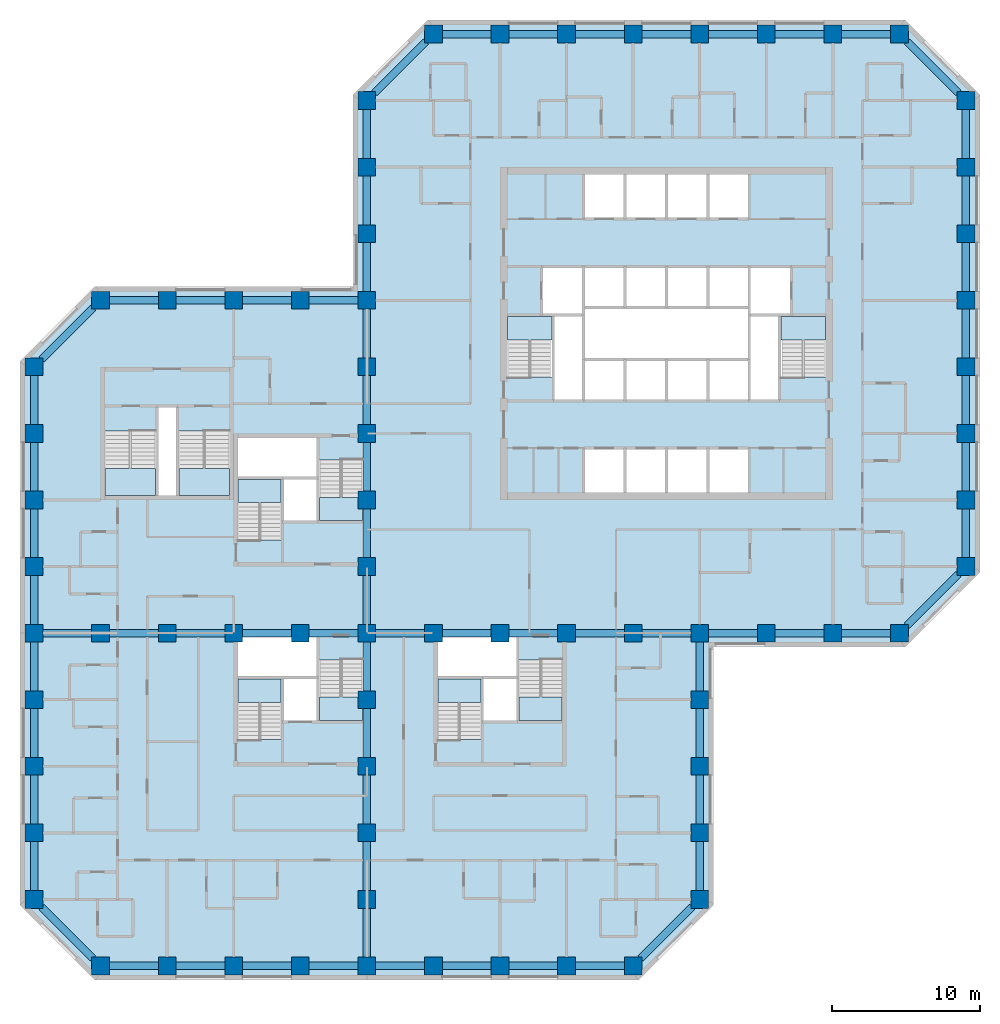
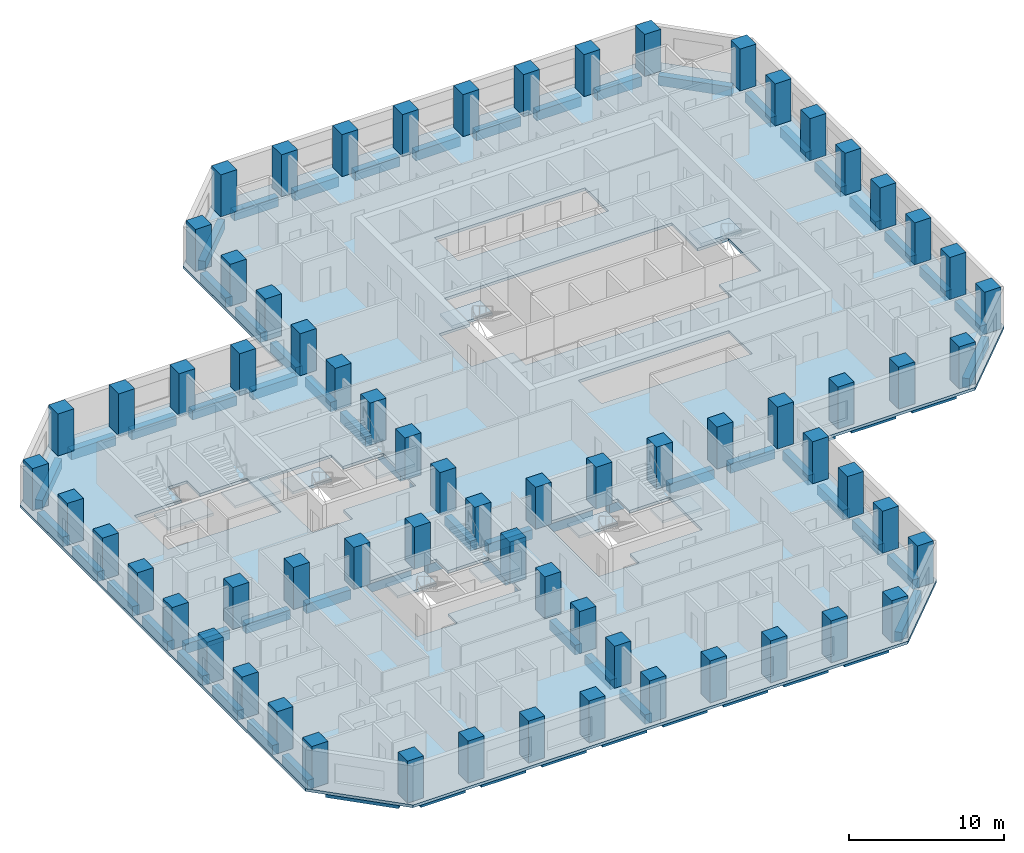
# One storey, part 1 of 12: 70 beams, 67 columns, 11 slabs, 10 elements without a shape of their own.
"""IFC4 building model written with IfcOpenShell, lengths in metres."""

import ifcopenshell
import ifcopenshell.guid

model = None  # the IFC model being written
_history = None  # IfcOwnerHistory: only IFC2X3 demands one
_inside = {}  # id of a spatial element -> (the spatial element, [elements in it])
_under = {}  # id of a project, library or spatial element -> (it, [spatial elements below it])
_declared = {}  # id of a project -> (the project, [libraries it declares])
_typed = {}  # id of a type object -> (the type object, [elements of that type])
_made_of = {}  # id of a material, layer set ... -> (it, [elements and type objects made of it])


def new_model(schema):
    """Start an empty IFC model of exactly this schema.

    Asked for "IFC4X3", IfcOpenShell would pick the latest addendum, in which some entities
    have other attributes; the version numbers below select the first issue.
    IFC2X3 requires an IfcOwnerHistory on every rooted entity: one is made here for all.
    """
    global model, _history
    if schema == "IFC4X3":
        model = ifcopenshell.file(schema_version=(4, 3, 0, 0))
    else:
        model = ifcopenshell.file(schema=schema)
    _inside.clear()
    _under.clear()
    _declared.clear()
    _typed.clear()
    _made_of.clear()
    _history = None
    if model.schema == "IFC2X3":
        org = make("IfcOrganization", Name="unknown")
        user = make(
            "IfcPersonAndOrganization",
            ThePerson=make("IfcPerson", FamilyName="unknown"),
            TheOrganization=org,
        )
        app = make(
            "IfcApplication",
            ApplicationDeveloper=org,
            Version="unknown",
            ApplicationFullName="unknown",
            ApplicationIdentifier="unknown",
        )
        _history = make(
            "IfcOwnerHistory",
            OwningUser=user,
            OwningApplication=app,
            ChangeAction="ADDED",
            CreationDate=0,
        )
    return model


def make(cls, **values):
    """One entity of the class cls with the attributes given. An attribute that is None is left unset."""
    return model.create_entity(
        cls, **{name: value for name, value in values.items() if value is not None}
    )


def rooted(cls, **values):
    """An entity with a GlobalId (a new one), such as an element, a storey or a relation."""
    return make(cls, GlobalId=ifcopenshell.guid.new(), OwnerHistory=_history, **values)


def si_unit(unit_type, name, prefix=None):
    """IfcSIUnit, for example si_unit("LENGTHUNIT", "METRE", prefix="MILLI")."""
    return make("IfcSIUnit", UnitType=unit_type, Prefix=prefix, Name=name)


def assignment(units):
    """IfcUnitAssignment: the units of a project."""
    return None if units is None else make("IfcUnitAssignment", Units=units)


def point(xyz):
    """IfcCartesianPoint."""
    return None if xyz is None else make("IfcCartesianPoint", Coordinates=xyz)


def direction(xyz):
    """IfcDirection."""
    return None if xyz is None else make("IfcDirection", DirectionRatios=xyz)


def frame(location, z_axis=None, x_axis=None):
    """IfcAxis2Placement3D, a coordinate frame: its origin and axes. An axis left out is left unset."""
    return make(
        "IfcAxis2Placement3D",
        Location=point(location),
        Axis=direction(z_axis),
        RefDirection=direction(x_axis),
    )


def frame_2d(location, x_axis=None):
    """IfcAxis2Placement2D, a coordinate frame in the plane: its origin and x axis."""
    return make(
        "IfcAxis2Placement2D", Location=point(location), RefDirection=direction(x_axis)
    )


def origin():
    """The frame at (0, 0, 0) with its axes left unset."""
    return frame((0.0, 0.0, 0.0))


def origin_2d():
    """The frame at (0, 0) in the plane with its x axis left unset."""
    return frame_2d((0.0, 0.0))


def place(relative_to, where):
    """IfcLocalPlacement: puts the frame where relative to a parent placement (None: the world)."""
    return make(
        "IfcLocalPlacement", PlacementRelTo=relative_to, RelativePlacement=where
    )


def context(
    kind, dimensions, precision=None, world=None, true_north=None, identifier=None
):
    """IfcGeometricRepresentationContext, for example the 3D "Model" context."""
    return make(
        "IfcGeometricRepresentationContext",
        ContextIdentifier=identifier,
        ContextType=kind,
        CoordinateSpaceDimension=dimensions,
        Precision=precision,
        WorldCoordinateSystem=world,
        TrueNorth=true_north,
    )


def subcontext(parent, identifier, kind, view, scale=None):
    """IfcGeometricRepresentationSubContext, for example "Body" below "Model"."""
    return make(
        "IfcGeometricRepresentationSubContext",
        ContextIdentifier=identifier,
        ContextType=kind,
        ParentContext=parent,
        TargetScale=scale,
        TargetView=view,
    )


def project(units=None, contexts=None):
    """IfcProject with its units and contexts."""
    return rooted(
        "IfcProject",
        Name="project",
        RepresentationContexts=contexts,
        UnitsInContext=assignment(units),
    )


def spatial(cls, under=None, at=None, **own):
    """A site, building, storey or space (cls), placed at a placement, below another one or the project."""
    s = rooted(cls, ObjectPlacement=at, **own)
    if under is not None:
        _under.setdefault(under.id(), (under, []))[1].append(s)
    return s


def polyline(points):
    """IfcPolyline through the points."""
    return make("IfcPolyline", Points=[point(p) for p in points])


def profile(cls, at=None, kind="AREA", **sizes):
    """A parametric profile (cls). Its sizes go by their IFC names, for example OverallWidth=200.0."""
    return make(cls, ProfileType=kind, Position=at, **sizes)


def rectangle(**sizes):
    """IfcRectangleProfileDef."""
    return profile("IfcRectangleProfileDef", **sizes)


def outline(outer, holes=None, kind="AREA"):
    """IfcArbitraryClosedProfileDef: a profile drawn as a closed curve; with holes, ...WithVoids."""
    if holes is None:
        return make("IfcArbitraryClosedProfileDef", ProfileType=kind, OuterCurve=outer)
    return make(
        "IfcArbitraryProfileDefWithVoids",
        ProfileType=kind,
        OuterCurve=outer,
        InnerCurves=holes,
    )


def extrude(swept, where, along, depth):
    """IfcExtrudedAreaSolid: the profile swept, set in the frame where, extruded along a direction by depth."""
    return make(
        "IfcExtrudedAreaSolid",
        SweptArea=swept,
        Position=where,
        ExtrudedDirection=direction(along),
        Depth=depth,
    )


def shape(context_of_items, identifier, shape_type, items):
    """IfcShapeRepresentation: the items that make up one representation, for example the "Body"."""
    return make(
        "IfcShapeRepresentation",
        ContextOfItems=context_of_items,
        RepresentationIdentifier=identifier,
        RepresentationType=shape_type,
        Items=items,
    )


def material(Name=None, Category=None):
    """IfcMaterial."""
    return make("IfcMaterial", Name=Name, Category=Category)


def layer(
    of_material, thickness, ventilated=None, Name=None, Category=None, Priority=None
):
    """IfcMaterialLayer: one layer of a wall or slab, of a material (None: an air gap)."""
    return make(
        "IfcMaterialLayer",
        Material=of_material,
        LayerThickness=thickness,
        IsVentilated=ventilated,
        Name=Name,
        Category=Category,
        Priority=Priority,
    )


def layer_set(layers, Name=None):
    """IfcMaterialLayerSet."""
    return make("IfcMaterialLayerSet", MaterialLayers=layers, LayerSetName=Name)


def material_profile(
    of_material, cross_section, Name=None, Category=None, Priority=None
):
    """IfcMaterialProfile: a cross section and its material."""
    return make(
        "IfcMaterialProfile",
        Name=Name,
        Material=of_material,
        Profile=cross_section,
        Priority=Priority,
        Category=Category,
    )


def profile_set(profiles, Name=None, composite=None):
    """IfcMaterialProfileSet."""
    return make(
        "IfcMaterialProfileSet",
        Name=Name,
        MaterialProfiles=profiles,
        CompositeProfile=composite,
    )


def made_of(thing, what):
    """Note that an element or type object is made of a material, layer set ...; save() writes the relation."""
    if what is not None:
        _made_of.setdefault(what.id(), (what, []))[1].append(thing)
    return thing


def type_object(cls, material=None, **own):
    """A type object (cls), such as IfcWallType, which elements share."""
    return made_of(rooted(cls, **own), material)


def element(
    cls,
    number,
    at=None,
    inside=None,
    cuts=None,
    type_object=None,
    material=None,
    context=None,
    identifier="Body",
    shape_type=None,
    held_by="IfcProductDefinitionShape",
    body=None,
    shapes=None,
    **own,
):
    """One element of the class cls, such as IfcWall. Its Tag is "e" and its number.

    at: its placement. inside: the storey or other place that contains it. cuts: it is an
    opening in that element (IfcRelVoidsElement). A single representation is given by context,
    identifier, shape_type and body (its items); several are given by shapes. held_by: the class
    of the entity that holds the representations. save() writes the other relations.
    """
    e = rooted(cls, Tag="e%d" % number, ObjectPlacement=at, **own)
    if body is not None:
        shapes = [shape(context, identifier, shape_type, body)]
    if shapes is not None:
        e.Representation = make(held_by, Representations=shapes)
    if inside is not None:
        _inside.setdefault(inside.id(), (inside, []))[1].append(e)
    if cuts is not None:
        rooted(
            "IfcRelVoidsElement", RelatingBuildingElement=cuts, RelatedOpeningElement=e
        )
    if type_object is not None:
        _typed.setdefault(type_object.id(), (type_object, []))[1].append(e)
    return made_of(e, material)


def aggregate(whole, parts):
    """IfcRelAggregates: a whole, such as a stair, and the parts it consists of."""
    return rooted("IfcRelAggregates", RelatingObject=whole, RelatedObjects=parts)


def save(model, path):
    """Write the relations noted so far, then the file.

    IfcRelAggregates (storeys below a building ...), IfcRelContainedInSpatialStructure (elements
    in a storey), IfcRelDefinesByType, IfcRelAssociatesMaterial and IfcRelDeclares: one each for
    every whole, place, type object, material and project.
    """
    for whole, parts in _under.values():
        aggregate(whole, parts)
    for where, things in _inside.values():
        rooted(
            "IfcRelContainedInSpatialStructure",
            RelatedElements=things,
            RelatingStructure=where,
        )
    for kind, things in _typed.values():
        rooted("IfcRelDefinesByType", RelatedObjects=things, RelatingType=kind)
    for what, things in _made_of.values():
        rooted("IfcRelAssociatesMaterial", RelatedObjects=things, RelatingMaterial=what)
    for by, libraries in _declared.values():
        rooted("IfcRelDeclares", RelatingContext=by, RelatedDefinitions=libraries)
    model.write(path)


model = new_model("IFC4")

# Units and contexts
model_context = context("Model", 3, precision=1e-05, world=origin(), true_north=direction((0.0, 1.0)))
body_context = subcontext(model_context, "Body", "Model", "MODEL_VIEW")
ifc_project = project(units=[si_unit("LENGTHUNIT", "METRE"), si_unit("AREAUNIT", "SQUARE_METRE"), si_unit("VOLUMEUNIT", "CUBIC_METRE"), si_unit("PLANEANGLEUNIT", "RADIAN"), si_unit("MASSUNIT", "GRAM", prefix="KILO")], contexts=[model_context])

# Site, building, storey
site_placement = place(None, origin())
site = spatial("IfcSite", under=ifc_project, at=site_placement, CompositionType="ELEMENT")
building_placement = place(site_placement, origin())
building = spatial("IfcBuilding", under=site, at=building_placement, Name="Quoin Convention Tower", CompositionType="ELEMENT")
storey_placement = place(building_placement, frame((0.0, 0.0, 56.10009765625)))
storey = spatial("IfcBuildingStorey", under=building, at=storey_placement, Name="L14", CompositionType="ELEMENT", Elevation=56.10009765625)

# Columns
ifc_material_1 = material(Name="Concrete C80", Category="concrete")
ifc_material_profile_1 = material_profile(ifc_material_1, rectangle(XDim=1.199951171875, YDim=1.199951171875, at=origin_2d()), Name="RC 1200x1200")
ifc_profile_set_1 = profile_set([ifc_material_profile_1], Name="Concrete C80")
column_type = type_object("IfcColumnType", Name="RC 1200x1200 C80", PredefinedType="COLUMN", material=ifc_profile_set_1)
for number, where, z_axis, x_axis, name in (
    (1, (18.0, 18.0, 0.0), (0.0, 0.0, 1.0), (1.0, 0.0, 0.0), "col-L14-18000_18000"),
    (2, (22.5, 18.0, 0.0), (0.0, 0.0, 1.0), (1.0, 0.0, 0.0), "col-L14-22500_18000"),
    (3, (27.0, 18.0, 0.0), (0.0, 0.0, 1.0), (1.0, 0.0, 0.0), "col-L14-27000_18000"),
    (4, (31.5, 18.0, 0.0), (0.0, 0.0, 1.0), (1.0, 0.0, 0.0), "col-L14-31500_18000"),
    (5, (36.0, 18.0, 0.0), (0.0, 0.0, 1.0), (1.0, 0.0, 0.0), "col-L14-36000_18000"),
    (6, (40.5, 18.0, 0.0), (0.0, 0.0, 1.0), (1.0, 0.0, 0.0), "col-L14-40500_18000"),
    (7, (45.0, 18.0, 0.0), (0.0, 0.0, 1.0), (1.0, 0.0, 0.0), "col-L14-45000_18000"),
    (8, (49.5, 18.0, 0.0), (0.0, 0.0, 1.0), (1.0, 0.0, 0.0), "col-L14-49500_18000"),
    (9, (54.0, 18.0, 0.0), (0.0, 0.0, 1.0), (1.0, 0.0, 0.0), "col-L14-54000_18000"),
    (10, (13.5, 22.5, 0.0), (0.0, 0.0, 1.0), (1.0, 0.0, 0.0), "col-L14-13500_22500"),
    (11, (36.0, 22.5, 0.0), (0.0, 0.0, 1.0), (1.0, 0.0, 0.0), "web-L14-36000_22500"),
    (12, (58.5, 22.5, 0.0), (0.0, 0.0, 1.0), (1.0, 0.0, 0.0), "col-L14-58500_22500"),
    (13, (13.5, 27.0, 0.0), (0.0, 0.0, 1.0), (1.0, 0.0, 0.0), "col-L14-13500_27000"),
    (14, (36.0, 27.0, 0.0), (0.0, 0.0, 1.0), (1.0, 0.0, 0.0), "web-L14-36000_27000"),
    (15, (58.5, 27.0, 0.0), (0.0, 0.0, 1.0), (1.0, 0.0, 0.0), "col-L14-58500_27000"),
    (16, (13.5, 31.5, 0.0), (0.0, 0.0, 1.0), (1.0, 0.0, 0.0), "col-L14-13500_31500"),
    (17, (36.0, 31.5, 0.0), (0.0, 0.0, 1.0), (1.0, 0.0, 0.0), "web-L14-36000_31500"),
    (18, (58.5, 31.5, 0.0), (0.0, 0.0, 1.0), (1.0, 0.0, 0.0), "col-L14-58500_31500"),
    (19, (13.5, 36.0, 0.0), (0.0, 0.0, 1.0), (1.0, 0.0, 0.0), "col-L14-13500_36000"),
    (20, (36.0, 36.0, 0.0), (0.0, 0.0, 1.0), (1.0, 0.0, 0.0), "web-L14-36000_36000"),
    (21, (58.5, 36.0, 0.0), (0.0, 0.0, 1.0), (1.0, 0.0, 0.0), "col-L14-58500_36000"),
    (22, (13.5, 40.5, 0.0), (0.0, 0.0, 1.0), (1.0, 0.0, 0.0), "col-L14-13500_40500"),
    (23, (18.0, 40.5, 0.0), (0.0, 0.0, 1.0), (1.0, 0.0, 0.0), "web-L14-18000_40500"),
    (24, (22.5, 40.5, 0.0), (0.0, 0.0, 1.0), (1.0, 0.0, 0.0), "web-L14-22500_40500"),
    (25, (27.0, 40.5, 0.0), (0.0, 0.0, 1.0), (1.0, 0.0, 0.0), "web-L14-27000_40500"),
    (26, (31.5, 40.5, 0.0), (0.0, 0.0, 1.0), (1.0, 0.0, 0.0), "web-L14-31500_40500"),
    (27, (36.0, 40.5, 0.0), (0.0, 0.0, 1.0), (1.0, 0.0, 0.0), "web-L14-36000_40500"),
    (28, (40.5, 40.5, 0.0), (0.0, 0.0, 1.0), (1.0, 0.0, 0.0), "web-L14-40500_40500"),
    (29, (45.0, 40.5, 0.0), (0.0, 0.0, 1.0), (1.0, 0.0, 0.0), "web-L14-45000_40500"),
    (30, (49.5, 40.5, 0.0), (0.0, 0.0, 1.0), (1.0, 0.0, 0.0), "web-L14-49500_40500"),
    (31, (54.0, 40.5, 0.0), (0.0, 0.0, 1.0), (1.0, 0.0, 0.0), "web-L14-54000_40500"),
    (32, (58.5, 40.5, 0.0), (0.0, 0.0, 1.0), (1.0, 0.0, 0.0), "col-L14-58500_40500"),
    (33, (63.0, 40.5, 0.0), (0.0, 0.0, 1.0), (1.0, 0.0, 0.0), "col-L14-63000_40500"),
    (34, (67.5, 40.5, 0.0), (0.0, 0.0, 1.0), (1.0, 0.0, 0.0), "col-L14-67500_40500"),
    (35, (72.0, 40.5, 0.0), (0.0, 0.0, 1.0), (1.0, 0.0, 0.0), "col-L14-72000_40500"),
    (36, (13.5, 45.0, 0.0), (0.0, 0.0, 1.0), (1.0, 0.0, 0.0), "col-L14-13500_45000"),
    (37, (36.0, 45.0, 0.0), (0.0, 0.0, 1.0), (1.0, 0.0, 0.0), "web-L14-36000_45000"),
    (38, (76.5, 45.0, 0.0), (0.0, 0.0, 1.0), (1.0, 0.0, 0.0), "col-L14-76500_45000"),
    (39, (13.5, 49.5, 0.0), (0.0, 0.0, 1.0), (1.0, 0.0, 0.0), "col-L14-13500_49500"),
    (40, (36.0, 49.5, 0.0), (0.0, 0.0, 1.0), (1.0, 0.0, 0.0), "web-L14-36000_49500"),
    (41, (76.5, 49.5, 0.0), (0.0, 0.0, 1.0), (1.0, 0.0, 0.0), "col-L14-76500_49500"),
    (42, (13.5, 54.0, 0.0), (0.0, 0.0, 1.0), (1.0, 0.0, 0.0), "col-L14-13500_54000"),
    (43, (36.0, 54.0, 0.0), (0.0, 0.0, 1.0), (1.0, 0.0, 0.0), "web-L14-36000_54000"),
    (44, (76.5, 54.0, 0.0), (0.0, 0.0, 1.0), (1.0, 0.0, 0.0), "col-L14-76500_54000"),
    (45, (13.5, 58.5, 0.0), (0.0, 0.0, 1.0), (1.0, 0.0, 0.0), "col-L14-13500_58500"),
    (46, (36.0, 58.5, 0.0), (0.0, 0.0, 1.0), (1.0, 0.0, 0.0), "web-L14-36000_58500"),
    (47, (76.5, 58.5, 0.0), (0.0, 0.0, 1.0), (1.0, 0.0, 0.0), "col-L14-76500_58500"),
    (48, (18.0, 63.0, 0.0), (0.0, 0.0, 1.0), (1.0, 0.0, 0.0), "col-L14-18000_63000"),
    (49, (22.5, 63.0, 0.0), (0.0, 0.0, 1.0), (1.0, 0.0, 0.0), "col-L14-22500_63000"),
    (50, (27.0, 63.0, 0.0), (0.0, 0.0, 1.0), (1.0, 0.0, 0.0), "col-L14-27000_63000"),
    (51, (31.5, 63.0, 0.0), (0.0, 0.0, 1.0), (1.0, 0.0, 0.0), "col-L14-31500_63000"),
    (52, (36.0, 63.0, 0.0), (0.0, 0.0, 1.0), (1.0, 0.0, 0.0), "col-L14-36000_63000"),
    (53, (76.5, 63.0, 0.0), (0.0, 0.0, 1.0), (1.0, 0.0, 0.0), "col-L14-76500_63000"),
    (54, (36.0, 67.5, 0.0), (0.0, 0.0, 1.0), (1.0, 0.0, 0.0), "col-L14-36000_67500"),
    (55, (76.5, 67.5, 0.0), (0.0, 0.0, 1.0), (1.0, 0.0, 0.0), "col-L14-76500_67500"),
    (56, (36.0, 72.0, 0.0), (0.0, 0.0, 1.0), (1.0, 0.0, 0.0), "col-L14-36000_72000"),
    (57, (76.5, 72.0, 0.0), (0.0, 0.0, 1.0), (1.0, 0.0, 0.0), "col-L14-76500_72000"),
    (58, (36.0, 76.5, 0.0), (0.0, 0.0, 1.0), (1.0, 0.0, 0.0), "col-L14-36000_76500"),
    (59, (76.5, 76.5, 0.0), (0.0, 0.0, 1.0), (1.0, 0.0, 0.0), "col-L14-76500_76500"),
    (60, (40.5, 81.0, 0.0), (0.0, 0.0, 1.0), (1.0, 0.0, 0.0), "col-L14-40500_81000"),
    (61, (45.0, 81.0, 0.0), (0.0, 0.0, 1.0), (1.0, 0.0, 0.0), "col-L14-45000_81000"),
    (62, (49.5, 81.0, 0.0), (0.0, 0.0, 1.0), (1.0, 0.0, 0.0), "col-L14-49500_81000"),
    (63, (54.0, 81.0, 0.0), (0.0, 0.0, 1.0), (1.0, 0.0, 0.0), "col-L14-54000_81000"),
    (64, (58.5, 81.0, 0.0), (0.0, 0.0, 1.0), (1.0, 0.0, 0.0), "col-L14-58500_81000"),
    (65, (63.0, 81.0, 0.0), (0.0, 0.0, 1.0), (1.0, 0.0, 0.0), "col-L14-63000_81000"),
    (66, (67.5, 81.0, 0.0), (0.0, 0.0, 1.0), (1.0, 0.0, 0.0), "col-L14-67500_81000"),
    (67, (72.0, 81.0, 0.0), (0.0, 0.0, 1.0), (1.0, 0.0, 0.0), "col-L14-72000_81000"),
):
    element("IfcColumn", number, at=place(storey_placement, frame(where, z_axis=z_axis, x_axis=x_axis)), inside=storey, type_object=column_type, Name=name, PredefinedType="COLUMN", context=body_context, shape_type="SweptSolid", body=[
        extrude(rectangle(XDim=1.199951171875, YDim=1.199951171875, at=origin_2d()), origin(), (0.0, 0.0, 1.0), 3.2998046875),
    ])

# Beams
ifc_material_profile_2 = material_profile(ifc_material_1, rectangle(XDim=0.5, YDim=0.75, at=origin_2d()), Name="RC 500x750")
ifc_profile_set_2 = profile_set([ifc_material_profile_2], Name="Concrete C80")
beam_type = type_object("IfcBeamType", Name="RC 500x750 C80", PredefinedType="SPANDREL", material=ifc_profile_set_2)
beam_1_placement = place(storey_placement, frame((14.01513671875, 21.98486328125, -0.59521484375), z_axis=(0.707106781187, -0.707106781187, 0.0), x_axis=(0.707106781187, 0.707106781187, 0.0)))
element("IfcBeam", 68, at=beam_1_placement, inside=storey, type_object=beam_type, Name="spd-L14-13500_22500-18000_18000", PredefinedType="SPANDREL", context=body_context, shape_type="SweptSolid", body=[
    extrude(rectangle(XDim=0.5, YDim=0.75, at=origin_2d()), origin(), (0.0, 0.0, 1.0), 4.906982421875),
])
for number, where, z_axis, x_axis, name in (
    (69, (18.60009765625, 18.0, -0.59521484375), (1.0, 0.0, 0.0), (0.0, 1.0, 0.0), "spd-L14-18000_18000-22500_18000"),
    (70, (23.10009765625, 18.0, -0.59521484375), (1.0, 0.0, 0.0), (0.0, 1.0, 0.0), "spd-L14-22500_18000-27000_18000"),
    (71, (27.60009765625, 18.0, -0.59521484375), (1.0, 0.0, 0.0), (0.0, 1.0, 0.0), "spd-L14-27000_18000-31500_18000"),
    (72, (32.10009765625, 18.0, -0.59521484375), (1.0, 0.0, 0.0), (0.0, 1.0, 0.0), "spd-L14-31500_18000-36000_18000"),
    (73, (36.60009765625, 18.0, -0.59521484375), (1.0, 0.0, 0.0), (0.0, 1.0, 0.0), "spd-L14-36000_18000-40500_18000"),
    (74, (41.10009765625, 18.0, -0.59521484375), (1.0, 0.0, 0.0), (0.0, 1.0, 0.0), "spd-L14-40500_18000-45000_18000"),
    (75, (45.60009765625, 18.0, -0.59521484375), (1.0, 0.0, 0.0), (0.0, 1.0, 0.0), "spd-L14-45000_18000-49500_18000"),
    (76, (50.10009765625, 18.0, -0.59521484375), (1.0, 0.0, 0.0), (0.0, 1.0, 0.0), "spd-L14-49500_18000-54000_18000"),
):
    element("IfcBeam", number, at=place(storey_placement, frame(where, z_axis=z_axis, x_axis=x_axis)), inside=storey, type_object=beam_type, Name=name, PredefinedType="SPANDREL", context=body_context, shape_type="SweptSolid", body=[
        extrude(rectangle(XDim=0.5, YDim=0.75, at=origin_2d()), origin(), (0.0, 0.0, 1.0), 3.2998046875),
    ])
beam_2_placement = place(storey_placement, frame((54.51513671875, 18.51513671875, -0.59521484375), z_axis=(0.707106781187, 0.707106781187, 0.0), x_axis=(-0.707106781187, 0.707106781187, 0.0)))
element("IfcBeam", 77, at=beam_2_placement, inside=storey, type_object=beam_type, Name="spd-L14-54000_18000-58500_22500", PredefinedType="SPANDREL", context=body_context, shape_type="SweptSolid", body=[
    extrude(rectangle(XDim=0.5, YDim=0.75, at=origin_2d()), origin(), (0.0, 0.0, 1.0), 4.906982421875),
])
for number, where, z_axis, x_axis, name in (
    (78, (58.5, 23.10009765625, -0.59521484375), (0.0, 1.0, 0.0), (-1.0, 0.0, 0.0), "spd-L14-58500_22500-58500_27000"),
    (79, (58.5, 27.60009765625, -0.59521484375), (0.0, 1.0, 0.0), (-1.0, 0.0, 0.0), "spd-L14-58500_27000-58500_31500"),
    (80, (58.5, 32.10009765625, -0.59521484375), (0.0, 1.0, 0.0), (-1.0, 0.0, 0.0), "spd-L14-58500_31500-58500_36000"),
    (81, (58.5, 36.60009765625, -0.59521484375), (0.0, 1.0, 0.0), (-1.0, 0.0, 0.0), "spd-L14-58500_36000-58500_40500"),
    (82, (59.10009765625, 40.5, -0.59521484375), (1.0, 0.0, 0.0), (0.0, 1.0, 0.0), "spd-L14-58500_40500-63000_40500"),
    (83, (63.60009765625, 40.5, -0.59521484375), (1.0, 0.0, 0.0), (0.0, 1.0, 0.0), "spd-L14-63000_40500-67500_40500"),
    (84, (68.10009765625, 40.5, -0.59521484375), (1.0, 0.0, 0.0), (0.0, 1.0, 0.0), "spd-L14-67500_40500-72000_40500"),
):
    element("IfcBeam", number, at=place(storey_placement, frame(where, z_axis=z_axis, x_axis=x_axis)), inside=storey, type_object=beam_type, Name=name, PredefinedType="SPANDREL", context=body_context, shape_type="SweptSolid", body=[
        extrude(rectangle(XDim=0.5, YDim=0.75, at=origin_2d()), origin(), (0.0, 0.0, 1.0), 3.2998046875),
    ])
beam_3_placement = place(storey_placement, frame((72.51513671875, 41.01513671875, -0.59521484375), z_axis=(0.707106781187, 0.707106781187, 0.0), x_axis=(-0.707106781187, 0.707106781187, 0.0)))
element("IfcBeam", 85, at=beam_3_placement, inside=storey, type_object=beam_type, Name="spd-L14-72000_40500-76500_45000", PredefinedType="SPANDREL", context=body_context, shape_type="SweptSolid", body=[
    extrude(rectangle(XDim=0.5, YDim=0.75, at=origin_2d()), origin(), (0.0, 0.0, 1.0), 4.906982421875),
])
for number, where, z_axis, x_axis, name in (
    (86, (76.5, 45.60009765625, -0.59521484375), (0.0, 1.0, 0.0), (-1.0, 0.0, 0.0), "spd-L14-76500_45000-76500_49500"),
    (87, (76.5, 50.10009765625, -0.59521484375), (0.0, 1.0, 0.0), (-1.0, 0.0, 0.0), "spd-L14-76500_49500-76500_54000"),
    (88, (76.5, 54.60009765625, -0.59521484375), (0.0, 1.0, 0.0), (-1.0, 0.0, 0.0), "spd-L14-76500_54000-76500_58500"),
    (89, (76.5, 59.10009765625, -0.59521484375), (0.0, 1.0, 0.0), (-1.0, 0.0, 0.0), "spd-L14-76500_58500-76500_63000"),
    (90, (76.5, 63.60009765625, -0.59521484375), (0.0, 1.0, 0.0), (-1.0, 0.0, 0.0), "spd-L14-76500_63000-76500_67500"),
    (91, (76.5, 68.10009765625, -0.59521484375), (0.0, 1.0, 0.0), (-1.0, 0.0, 0.0), "spd-L14-76500_67500-76500_72000"),
    (92, (76.5, 72.60009765625, -0.59521484375), (0.0, 1.0, 0.0), (-1.0, 0.0, 0.0), "spd-L14-76500_72000-76500_76500"),
):
    element("IfcBeam", number, at=place(storey_placement, frame(where, z_axis=z_axis, x_axis=x_axis)), inside=storey, type_object=beam_type, Name=name, PredefinedType="SPANDREL", context=body_context, shape_type="SweptSolid", body=[
        extrude(rectangle(XDim=0.5, YDim=0.75, at=origin_2d()), origin(), (0.0, 0.0, 1.0), 3.2998046875),
    ])
beam_4_placement = place(storey_placement, frame((75.98486328125, 77.01513671875, -0.59521484375), z_axis=(-0.707106781187, 0.707106781187, 0.0), x_axis=(-0.707106781187, -0.707106781187, 0.0)))
element("IfcBeam", 93, at=beam_4_placement, inside=storey, type_object=beam_type, Name="spd-L14-76500_76500-72000_81000", PredefinedType="SPANDREL", context=body_context, shape_type="SweptSolid", body=[
    extrude(rectangle(XDim=0.5, YDim=0.75, at=origin_2d()), origin(), (0.0, 0.0, 1.0), 4.906982421875),
])
for number, where, z_axis, x_axis, name in (
    (94, (71.39990234375, 81.0, -0.59521484375), (-1.0, 0.0, 0.0), (0.0, -1.0, 0.0), "spd-L14-72000_81000-67500_81000"),
    (95, (66.89990234375, 81.0, -0.59521484375), (-1.0, 0.0, 0.0), (0.0, -1.0, 0.0), "spd-L14-67500_81000-63000_81000"),
    (96, (62.39990234375, 81.0, -0.59521484375), (-1.0, 0.0, 0.0), (0.0, -1.0, 0.0), "spd-L14-63000_81000-58500_81000"),
    (97, (57.89990234375, 81.0, -0.59521484375), (-1.0, 0.0, 0.0), (0.0, -1.0, 0.0), "spd-L14-58500_81000-54000_81000"),
    (98, (53.39990234375, 81.0, -0.59521484375), (-1.0, 0.0, 0.0), (0.0, -1.0, 0.0), "spd-L14-54000_81000-49500_81000"),
    (99, (48.89990234375, 81.0, -0.59521484375), (-1.0, 0.0, 0.0), (0.0, -1.0, 0.0), "spd-L14-49500_81000-45000_81000"),
    (100, (44.39990234375, 81.0, -0.59521484375), (-1.0, 0.0, 0.0), (0.0, -1.0, 0.0), "spd-L14-45000_81000-40500_81000"),
):
    element("IfcBeam", number, at=place(storey_placement, frame(where, z_axis=z_axis, x_axis=x_axis)), inside=storey, type_object=beam_type, Name=name, PredefinedType="SPANDREL", context=body_context, shape_type="SweptSolid", body=[
        extrude(rectangle(XDim=0.5, YDim=0.75, at=origin_2d()), origin(), (0.0, 0.0, 1.0), 3.2998046875),
    ])
beam_5_placement = place(storey_placement, frame((39.98486328125, 80.48486328125, -0.59521484375), z_axis=(-0.707106781187, -0.707106781187, 0.0), x_axis=(0.707106781187, -0.707106781187, 0.0)))
element("IfcBeam", 101, at=beam_5_placement, inside=storey, type_object=beam_type, Name="spd-L14-40500_81000-36000_76500", PredefinedType="SPANDREL", context=body_context, shape_type="SweptSolid", body=[
    extrude(rectangle(XDim=0.5, YDim=0.75, at=origin_2d()), origin(), (0.0, 0.0, 1.0), 4.906982421875),
])
for number, where, z_axis, x_axis, name in (
    (102, (36.0, 75.89990234375, -0.59521484375), (0.0, -1.0, 0.0), (1.0, 0.0, 0.0), "spd-L14-36000_76500-36000_72000"),
    (103, (36.0, 71.39990234375, -0.59521484375), (0.0, -1.0, 0.0), (1.0, 0.0, 0.0), "spd-L14-36000_72000-36000_67500"),
    (104, (36.0, 66.89990234375, -0.59521484375), (0.0, -1.0, 0.0), (1.0, 0.0, 0.0), "spd-L14-36000_67500-36000_63000"),
    (105, (35.39990234375, 63.0, -0.59521484375), (-1.0, 0.0, 0.0), (0.0, -1.0, 0.0), "spd-L14-36000_63000-31500_63000"),
    (106, (30.89990234375, 63.0, -0.59521484375), (-1.0, 0.0, 0.0), (0.0, -1.0, 0.0), "spd-L14-31500_63000-27000_63000"),
    (107, (26.39990234375, 63.0, -0.59521484375), (-1.0, 0.0, 0.0), (0.0, -1.0, 0.0), "spd-L14-27000_63000-22500_63000"),
    (108, (21.89990234375, 63.0, -0.59521484375), (-1.0, 0.0, 0.0), (0.0, -1.0, 0.0), "spd-L14-22500_63000-18000_63000"),
):
    element("IfcBeam", number, at=place(storey_placement, frame(where, z_axis=z_axis, x_axis=x_axis)), inside=storey, type_object=beam_type, Name=name, PredefinedType="SPANDREL", context=body_context, shape_type="SweptSolid", body=[
        extrude(rectangle(XDim=0.5, YDim=0.75, at=origin_2d()), origin(), (0.0, 0.0, 1.0), 3.2998046875),
    ])
beam_6_placement = place(storey_placement, frame((17.48486328125, 62.48486328125, -0.59521484375), z_axis=(-0.707106781187, -0.707106781187, 0.0), x_axis=(0.707106781187, -0.707106781187, 0.0)))
element("IfcBeam", 109, at=beam_6_placement, inside=storey, type_object=beam_type, Name="spd-L14-18000_63000-13500_58500", PredefinedType="SPANDREL", context=body_context, shape_type="SweptSolid", body=[
    extrude(rectangle(XDim=0.5, YDim=0.75, at=origin_2d()), origin(), (0.0, 0.0, 1.0), 4.906982421875),
])
for number, where, z_axis, x_axis, name in (
    (110, (13.5, 57.89990234375, -0.59521484375), (0.0, -1.0, 0.0), (1.0, 0.0, 0.0), "spd-L14-13500_58500-13500_54000"),
    (111, (13.5, 53.39990234375, -0.59521484375), (0.0, -1.0, 0.0), (1.0, 0.0, 0.0), "spd-L14-13500_54000-13500_49500"),
    (112, (13.5, 48.89990234375, -0.59521484375), (0.0, -1.0, 0.0), (1.0, 0.0, 0.0), "spd-L14-13500_49500-13500_45000"),
    (113, (13.5, 44.39990234375, -0.59521484375), (0.0, -1.0, 0.0), (1.0, 0.0, 0.0), "spd-L14-13500_45000-13500_40500"),
    (114, (13.5, 39.89990234375, -0.59521484375), (0.0, -1.0, 0.0), (1.0, 0.0, 0.0), "spd-L14-13500_40500-13500_36000"),
    (115, (13.5, 35.39990234375, -0.59521484375), (0.0, -1.0, 0.0), (1.0, 0.0, 0.0), "spd-L14-13500_36000-13500_31500"),
    (116, (13.5, 30.89990234375, -0.59521484375), (0.0, -1.0, 0.0), (1.0, 0.0, 0.0), "spd-L14-13500_31500-13500_27000"),
    (117, (13.5, 26.39990234375, -0.59521484375), (0.0, -1.0, 0.0), (1.0, 0.0, 0.0), "spd-L14-13500_27000-13500_22500"),
    (118, (14.10009765625, 40.5, -0.59521484375), (1.0, 0.0, 0.0), (0.0, 1.0, 0.0), "spd-L14-13500_40500-18000_40500"),
    (119, (18.60009765625, 40.5, -0.59521484375), (1.0, 0.0, 0.0), (0.0, 1.0, 0.0), "spd-L14-18000_40500-22500_40500"),
    (120, (23.10009765625, 40.5, -0.59521484375), (1.0, 0.0, 0.0), (0.0, 1.0, 0.0), "spd-L14-22500_40500-27000_40500"),
    (121, (27.60009765625, 40.5, -0.59521484375), (1.0, 0.0, 0.0), (0.0, 1.0, 0.0), "spd-L14-27000_40500-31500_40500"),
    (122, (32.10009765625, 40.5, -0.59521484375), (1.0, 0.0, 0.0), (0.0, 1.0, 0.0), "spd-L14-31500_40500-36000_40500"),
    (123, (36.60009765625, 40.5, -0.59521484375), (1.0, 0.0, 0.0), (0.0, 1.0, 0.0), "spd-L14-36000_40500-40500_40500"),
    (124, (41.10009765625, 40.5, -0.59521484375), (1.0, 0.0, 0.0), (0.0, 1.0, 0.0), "spd-L14-40500_40500-45000_40500"),
    (125, (45.60009765625, 40.5, -0.59521484375), (1.0, 0.0, 0.0), (0.0, 1.0, 0.0), "spd-L14-45000_40500-49500_40500"),
    (126, (50.10009765625, 40.5, -0.59521484375), (1.0, 0.0, 0.0), (0.0, 1.0, 0.0), "spd-L14-49500_40500-54000_40500"),
    (127, (54.60009765625, 40.5, -0.59521484375), (1.0, 0.0, 0.0), (0.0, 1.0, 0.0), "spd-L14-54000_40500-58500_40500"),
    (128, (36.0, 18.60009765625, -0.59521484375), (0.0, 1.0, 0.0), (-1.0, 0.0, 0.0), "spd-L14-36000_18000-36000_22500"),
    (129, (36.0, 23.10009765625, -0.59521484375), (0.0, 1.0, 0.0), (-1.0, 0.0, 0.0), "spd-L14-36000_22500-36000_27000"),
    (130, (36.0, 27.60009765625, -0.59521484375), (0.0, 1.0, 0.0), (-1.0, 0.0, 0.0), "spd-L14-36000_27000-36000_31500"),
    (131, (36.0, 32.10009765625, -0.59521484375), (0.0, 1.0, 0.0), (-1.0, 0.0, 0.0), "spd-L14-36000_31500-36000_36000"),
    (132, (36.0, 36.60009765625, -0.59521484375), (0.0, 1.0, 0.0), (-1.0, 0.0, 0.0), "spd-L14-36000_36000-36000_40500"),
    (133, (36.0, 41.10009765625, -0.59521484375), (0.0, 1.0, 0.0), (-1.0, 0.0, 0.0), "spd-L14-36000_40500-36000_45000"),
    (134, (36.0, 45.60009765625, -0.59521484375), (0.0, 1.0, 0.0), (-1.0, 0.0, 0.0), "spd-L14-36000_45000-36000_49500"),
    (135, (36.0, 50.10009765625, -0.59521484375), (0.0, 1.0, 0.0), (-1.0, 0.0, 0.0), "spd-L14-36000_49500-36000_54000"),
    (136, (36.0, 54.60009765625, -0.59521484375), (0.0, 1.0, 0.0), (-1.0, 0.0, 0.0), "spd-L14-36000_54000-36000_58500"),
    (137, (36.0, 59.10009765625, -0.59521484375), (0.0, 1.0, 0.0), (-1.0, 0.0, 0.0), "spd-L14-36000_58500-36000_63000"),
):
    element("IfcBeam", number, at=place(storey_placement, frame(where, z_axis=z_axis, x_axis=x_axis)), inside=storey, type_object=beam_type, Name=name, PredefinedType="SPANDREL", context=body_context, shape_type="SweptSolid", body=[
        extrude(rectangle(XDim=0.5, YDim=0.75, at=origin_2d()), origin(), (0.0, 0.0, 1.0), 3.2998046875),
    ])

# Slab
ifc_material_2 = material(Name="Concrete C50", Category="concrete")
ifc_layer_1 = layer(ifc_material_2, 0.219970703125)
ifc_layer_set_1 = layer_set([ifc_layer_1], Name="Concrete C50")
slab_type_1 = type_object("IfcSlabType", Name="RC SLAB 220 C50", PredefinedType="FLOOR", material=ifc_layer_set_1)
slab_1_placement = place(storey_placement, frame((0.0, 0.0, -0.22021484375)))
element("IfcSlab", 138, at=slab_1_placement, inside=storey, type_object=slab_type_1, Name="slb-L14", PredefinedType="FLOOR", context=body_context, shape_type="SweptSolid", body=[
    extrude(outline(polyline([(12.550048828125, 58.8935546875), (17.6064453125, 63.949951171875), (35.050048828125, 63.949951171875), (35.050048828125, 76.8935546875), (40.1064453125, 81.949951171875), (72.3935546875, 81.949951171875), (77.449951171875, 76.8935546875), (77.449951171875, 44.6064453125), (72.3935546875, 39.550048828125), (59.449951171875, 39.550048828125), (59.449951171875, 22.1064453125), (54.3935546875, 17.050048828125), (17.6064453125, 17.050048828125), (12.550048828125, 22.1064453125), (12.550048828125, 58.8935546875)]), holes=[polyline([(30.300048828125, 33.300537109375), (30.300048828125, 34.5), (32.699951171875, 34.5), (35.699951171875, 34.5), (35.699951171875, 38.699462890625), (32.699951171875, 38.699462890625), (32.699951171875, 40.199951171875), (27.300048828125, 40.199951171875), (27.300048828125, 37.5), (27.300048828125, 33.300537109375), (30.300048828125, 33.300537109375)]), polyline([(43.800048828125, 33.300537109375), (43.800048828125, 34.5), (46.199951171875, 34.5), (49.199951171875, 34.5), (49.199951171875, 38.699462890625), (46.199951171875, 38.699462890625), (46.199951171875, 40.199951171875), (40.800048828125, 40.199951171875), (40.800048828125, 37.5), (40.800048828125, 33.300537109375), (43.800048828125, 33.300537109375)]), polyline([(27.300048828125, 46.800537109375), (30.300048828125, 46.800537109375), (30.300048828125, 48.0), (32.699951171875, 48.0), (35.699951171875, 48.0), (35.699951171875, 52.199462890625), (32.699951171875, 52.199462890625), (32.699951171875, 53.699951171875), (27.300048828125, 53.699951171875), (27.300048828125, 51.0), (27.300048828125, 46.800537109375)]), polyline([(53.449951171875, 50.0), (56.25, 50.0), (59.050048828125, 50.0), (61.85009765625, 50.0), (61.85009765625, 53.0), (59.050048828125, 53.0), (56.25, 53.0), (53.449951171875, 53.0), (50.64990234375, 53.0), (50.64990234375, 50.0), (53.449951171875, 50.0)]), polyline([(23.199951171875, 49.800048828125), (26.699951171875, 49.800048828125), (26.699951171875, 54.1494140625), (23.199951171875, 54.1494140625), (23.199951171875, 55.85009765625), (21.800048828125, 55.85009765625), (21.800048828125, 54.1494140625), (18.300048828125, 54.1494140625), (18.300048828125, 49.800048828125), (21.800048828125, 49.800048828125), (23.199951171875, 49.800048828125)]), polyline([(45.5, 57.800537109375), (48.60009765625, 57.800537109375), (48.60009765625, 56.199951171875), (50.64990234375, 56.199951171875), (53.449951171875, 56.199951171875), (56.25, 56.199951171875), (59.050048828125, 56.199951171875), (61.85009765625, 56.199951171875), (63.89990234375, 56.199951171875), (63.89990234375, 57.800537109375), (67.0, 57.800537109375), (67.0, 62.0), (64.699951171875, 62.0), (64.699951171875, 65.300048828125), (61.85009765625, 65.300048828125), (59.050048828125, 65.300048828125), (56.25, 65.300048828125), (53.449951171875, 65.300048828125), (50.64990234375, 65.300048828125), (47.800048828125, 65.300048828125), (47.800048828125, 62.0), (45.5, 62.0), (45.5, 57.800537109375)]), polyline([(59.050048828125, 68.5), (61.85009765625, 68.5), (61.85009765625, 71.5), (59.050048828125, 71.5), (56.25, 71.5), (53.449951171875, 71.5), (50.64990234375, 71.5), (50.64990234375, 68.5), (53.449951171875, 68.5), (56.25, 68.5), (59.050048828125, 68.5)])]), origin(), (0.0, 0.0, 1.0), 0.22021484375),
])

# Stair, slab
ifc_material_3 = material(Name="Concrete C40", Category="concrete")
stair_type_1 = type_object("IfcStairType", Name="Exit stair two-flight 1350", PredefinedType="HALF_TURN_STAIR", material=ifc_material_3)
stair_1_placement = place(storey_placement, origin())
stair_1 = element("IfcStair", 139, at=stair_1_placement, inside=storey, type_object=stair_type_1, Name="SD1 L14", PredefinedType="HALF_TURN_STAIR")
ifc_layer_2 = layer(ifc_material_3, 0.199951171875)
ifc_layer_set_2 = layer_set([ifc_layer_2], Name="Concrete C40")
slab_type_2 = type_object("IfcSlabType", Name="Stair landing 200", PredefinedType="LANDING", material=ifc_layer_set_2)
slab_2_placement = place(storey_placement, frame((0.0, 0.0, 1.449951171875)))
slab_2 = element("IfcSlab", 140, at=slab_2_placement, type_object=slab_type_2, Name="ST1 landing 1", PredefinedType="LANDING", context=body_context, shape_type="SweptSolid", body=[
    extrude(outline(polyline([(45.5, 60.320068359375), (48.5, 60.320068359375), (48.5, 61.89990234375), (45.5, 61.89990234375), (45.5, 60.320068359375)])), origin(), (0.0, 0.0, 1.0), 0.199951171875),
])
aggregate(stair_1, [slab_2])

stair_2_placement = place(storey_placement, origin())
stair_2 = element("IfcStair", 141, at=stair_2_placement, inside=storey, type_object=stair_type_1, Name="SD2 L14", PredefinedType="HALF_TURN_STAIR")
slab_3_placement = place(storey_placement, frame((0.0, 0.0, 1.449951171875)))
slab_3 = element("IfcSlab", 142, at=slab_3_placement, type_object=slab_type_2, Name="ST2 landing 1", PredefinedType="LANDING", context=body_context, shape_type="SweptSolid", body=[
    extrude(outline(polyline([(64.0, 60.320068359375), (67.0, 60.320068359375), (67.0, 61.89990234375), (64.0, 61.89990234375), (64.0, 60.320068359375)])), origin(), (0.0, 0.0, 1.0), 0.199951171875),
])
aggregate(stair_2, [slab_3])

stair_3_placement = place(storey_placement, origin())
stair_3 = element("IfcStair", 143, at=stair_3_placement, inside=storey, type_object=stair_type_1, Name="SD3 L14", PredefinedType="HALF_TURN_STAIR")
slab_4_placement = place(storey_placement, frame((0.0, 0.0, 1.449951171875)))
slab_4 = element("IfcSlab", 144, at=slab_4_placement, type_object=slab_type_2, Name="ST3 landing 1", PredefinedType="LANDING", context=body_context, shape_type="SweptSolid", body=[
    extrude(outline(polyline([(27.300048828125, 49.320068359375), (30.199951171875, 49.320068359375), (30.199951171875, 50.89990234375), (27.300048828125, 50.89990234375), (27.300048828125, 49.320068359375)])), origin(), (0.0, 0.0, 1.0), 0.199951171875),
])
aggregate(stair_3, [slab_4])

stair_4_placement = place(storey_placement, origin())
stair_4 = element("IfcStair", 145, at=stair_4_placement, inside=storey, type_object=stair_type_1, Name="SD4 L14", PredefinedType="HALF_TURN_STAIR")
slab_5_placement = place(storey_placement, frame((0.0, 0.0, 1.449951171875)))
slab_5 = element("IfcSlab", 146, at=slab_5_placement, type_object=slab_type_2, Name="ST4 landing 1", PredefinedType="LANDING", context=body_context, shape_type="SweptSolid", body=[
    extrude(outline(polyline([(35.699951171875, 49.679931640625), (32.800048828125, 49.679931640625), (32.800048828125, 48.10009765625), (35.699951171875, 48.10009765625), (35.699951171875, 49.679931640625)])), origin(), (0.0, 0.0, 1.0), 0.199951171875),
])
aggregate(stair_4, [slab_5])

stair_5_placement = place(storey_placement, origin())
stair_5 = element("IfcStair", 147, at=stair_5_placement, inside=storey, type_object=stair_type_1, Name="SD5 L14", PredefinedType="HALF_TURN_STAIR")
slab_6_placement = place(storey_placement, frame((0.0, 0.0, 1.449951171875)))
slab_6 = element("IfcSlab", 148, at=slab_6_placement, type_object=slab_type_2, Name="ST5 landing 1", PredefinedType="LANDING", context=body_context, shape_type="SweptSolid", body=[
    extrude(outline(polyline([(40.800048828125, 35.820068359375), (43.699951171875, 35.820068359375), (43.699951171875, 37.39990234375), (40.800048828125, 37.39990234375), (40.800048828125, 35.820068359375)])), origin(), (0.0, 0.0, 1.0), 0.199951171875),
])
aggregate(stair_5, [slab_6])

stair_6_placement = place(storey_placement, origin())
stair_6 = element("IfcStair", 149, at=stair_6_placement, inside=storey, type_object=stair_type_1, Name="SD6 L14", PredefinedType="HALF_TURN_STAIR")
slab_7_placement = place(storey_placement, frame((0.0, 0.0, 1.449951171875)))
slab_7 = element("IfcSlab", 150, at=slab_7_placement, type_object=slab_type_2, Name="ST6 landing 1", PredefinedType="LANDING", context=body_context, shape_type="SweptSolid", body=[
    extrude(outline(polyline([(49.199951171875, 36.179931640625), (46.300048828125, 36.179931640625), (46.300048828125, 34.60009765625), (49.199951171875, 34.60009765625), (49.199951171875, 36.179931640625)])), origin(), (0.0, 0.0, 1.0), 0.199951171875),
])
aggregate(stair_6, [slab_7])

stair_7_placement = place(storey_placement, origin())
stair_7 = element("IfcStair", 151, at=stair_7_placement, inside=storey, type_object=stair_type_1, Name="SD7 L14", PredefinedType="HALF_TURN_STAIR")
slab_8_placement = place(storey_placement, frame((0.0, 0.0, 1.449951171875)))
slab_8 = element("IfcSlab", 152, at=slab_8_placement, type_object=slab_type_2, Name="ST7 landing 1", PredefinedType="LANDING", context=body_context, shape_type="SweptSolid", body=[
    extrude(outline(polyline([(27.300048828125, 35.820068359375), (30.199951171875, 35.820068359375), (30.199951171875, 37.39990234375), (27.300048828125, 37.39990234375), (27.300048828125, 35.820068359375)])), origin(), (0.0, 0.0, 1.0), 0.199951171875),
])
aggregate(stair_7, [slab_8])

stair_8_placement = place(storey_placement, origin())
stair_8 = element("IfcStair", 153, at=stair_8_placement, inside=storey, type_object=stair_type_1, Name="SD8 L14", PredefinedType="HALF_TURN_STAIR")
slab_9_placement = place(storey_placement, frame((0.0, 0.0, 1.449951171875)))
slab_9 = element("IfcSlab", 154, at=slab_9_placement, type_object=slab_type_2, Name="ST8 landing 1", PredefinedType="LANDING", context=body_context, shape_type="SweptSolid", body=[
    extrude(outline(polyline([(35.699951171875, 36.179931640625), (32.800048828125, 36.179931640625), (32.800048828125, 34.60009765625), (35.699951171875, 34.60009765625), (35.699951171875, 36.179931640625)])), origin(), (0.0, 0.0, 1.0), 0.199951171875),
])
aggregate(stair_8, [slab_9])

stair_type_2 = type_object("IfcStairType", Name="Exit stair two-flight 1600", PredefinedType="HALF_TURN_STAIR", material=ifc_material_3)
stair_9_placement = place(storey_placement, origin())
stair_9 = element("IfcStair", 155, at=stair_9_placement, inside=storey, type_object=stair_type_2, Name="SD11 L14", PredefinedType="HALF_TURN_STAIR")
slab_10_placement = place(storey_placement, frame((0.0, 0.0, 1.449951171875)))
slab_10 = element("IfcSlab", 156, at=slab_10_placement, type_object=slab_type_2, Name="ST11 landing 1", PredefinedType="LANDING", context=body_context, shape_type="SweptSolid", body=[
    extrude(outline(polyline([(21.699951171875, 51.6298828125), (18.300048828125, 51.6298828125), (18.300048828125, 49.800048828125), (21.699951171875, 49.800048828125), (21.699951171875, 51.6298828125)])), origin(), (0.0, 0.0, 1.0), 0.199951171875),
])
aggregate(stair_9, [slab_10])

stair_10_placement = place(storey_placement, origin())
stair_10 = element("IfcStair", 157, at=stair_10_placement, inside=storey, type_object=stair_type_2, Name="SD12 L14", PredefinedType="HALF_TURN_STAIR")
slab_11_placement = place(storey_placement, frame((0.0, 0.0, 1.449951171875)))
slab_11 = element("IfcSlab", 158, at=slab_11_placement, type_object=slab_type_2, Name="ST12 landing 1", PredefinedType="LANDING", context=body_context, shape_type="SweptSolid", body=[
    extrude(outline(polyline([(26.699951171875, 51.6298828125), (23.300048828125, 51.6298828125), (23.300048828125, 49.800048828125), (26.699951171875, 49.800048828125), (26.699951171875, 51.6298828125)])), origin(), (0.0, 0.0, 1.0), 0.199951171875),
])
aggregate(stair_10, [slab_11])

save(model, "model.ifc")
